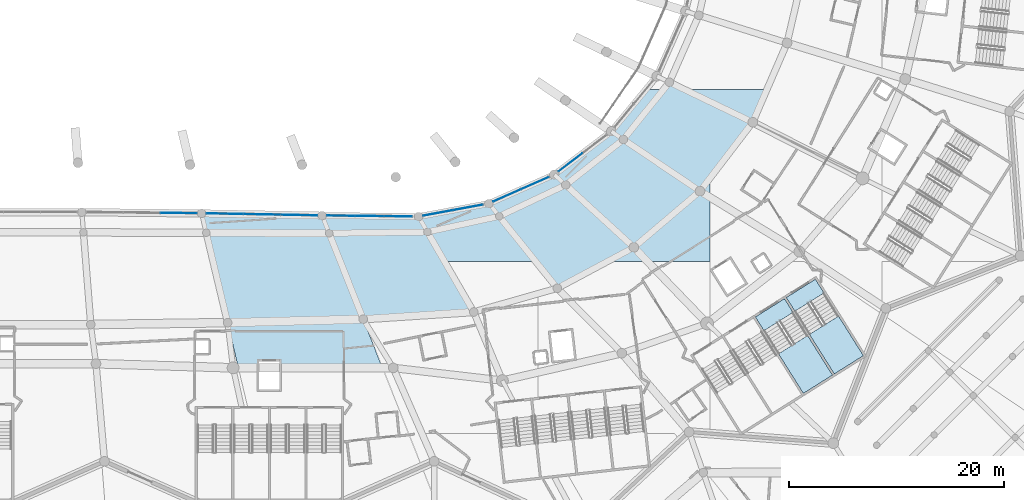
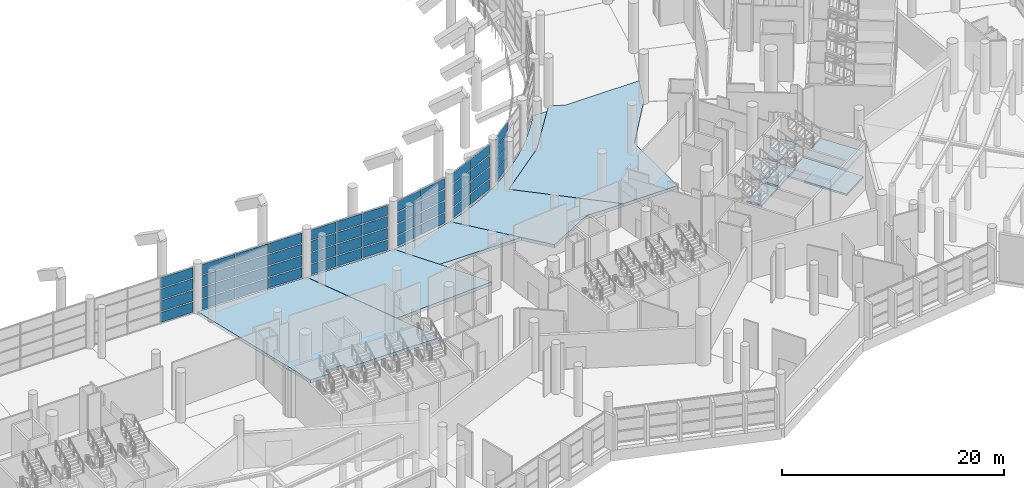
# One storey, part 128 of 271: 48 plates, 12 slabs, 8 elements without a shape of their own.
"""IFC4 building model written with IfcOpenShell, lengths in metres."""

from ifc_helpers import new_model, si_unit, direction, frame, origin, origin_2d, place, context, subcontext, project, spatial, polyline, rectangle, outline, extrude, material, layer, layer_set, type_object, element, aggregate, save


model = new_model("IFC4")

# Units and contexts
model_context = context("Model", 3, precision=1e-05, world=origin(), true_north=direction((0.0, 1.0)))
body_context = subcontext(model_context, "Body", "Model", "MODEL_VIEW")
ifc_project = project(units=[si_unit("LENGTHUNIT", "METRE"), si_unit("AREAUNIT", "SQUARE_METRE"), si_unit("VOLUMEUNIT", "CUBIC_METRE"), si_unit("PLANEANGLEUNIT", "RADIAN"), si_unit("MASSUNIT", "GRAM", prefix="KILO")], contexts=[model_context])

# Site, building, storey
site_placement = place(None, origin())
site = spatial("IfcSite", under=ifc_project, at=site_placement, CompositionType="ELEMENT")
building_placement = place(site_placement, origin())
building = spatial("IfcBuilding", under=site, at=building_placement, Name="Meseta Stadium", CompositionType="ELEMENT")
storey_placement = place(building_placement, frame((0.0, 0.0, 6.5)))
storey = spatial("IfcBuildingStorey", under=building, at=storey_placement, Name="L01", CompositionType="ELEMENT", Elevation=6.5)

# Curtain wall, plates
ifc_material_1 = material(Name="Aluminium", Category="aluminium")
ifc_layer_1 = layer(ifc_material_1, 0.199951171875)
ifc_layer_set_1 = layer_set([ifc_layer_1], Name="Club glazing curtain wall")
curtain_wall_type = type_object("IfcCurtainWallType", Name="Club glazing curtain wall", PredefinedType="NOTDEFINED", material=ifc_layer_set_1)
curtain_wall_1_placement = place(storey_placement, origin())
curtain_wall_1 = element("IfcCurtainWall", 1, at=curtain_wall_1_placement, inside=storey, type_object=curtain_wall_type, Name="Club glazing bay 47", PredefinedType="NOTDEFINED")
ifc_material_2 = material(Name="Glass", Category="glass")
ifc_layer_2 = layer(ifc_material_2, 0.028076171875)
ifc_layer_set_2 = layer_set([ifc_layer_2], Name="CW glass panel 28")
plate_type = type_object("IfcPlateType", Name="CW glass panel 28", PredefinedType="CURTAIN_PANEL", material=ifc_layer_set_2)
plate_1_placement = place(storey_placement, frame((14.55908203125, -75.507568359375, 0.1201171875), z_axis=(0.0, 0.0, 1.0), x_axis=(0.999947169774, -0.010278991253, 0.0)))
plate_1 = element("IfcPlate", 2, at=plate_1_placement, type_object=plate_type, Name="CWC panel 3.1", PredefinedType="CURTAIN_PANEL", context=body_context, shape_type="SweptSolid", body=[
    extrude(rectangle(XDim=3.357177734375, YDim=0.028076171875, at=origin_2d()), origin(), (0.0, 0.0, 1.0), 1.107421875),
])
plate_2_placement = place(storey_placement, frame((14.55908203125, -75.507568359375, 1.347412109375), z_axis=(0.0, 0.0, 1.0), x_axis=(0.999947169774, -0.010278991253, 0.0)))
plate_2 = element("IfcPlate", 3, at=plate_2_placement, type_object=plate_type, Name="CWC panel 3.2", PredefinedType="CURTAIN_PANEL", context=body_context, shape_type="SweptSolid", body=[
    extrude(rectangle(XDim=3.357177734375, YDim=0.028076171875, at=origin_2d()), origin(), (0.0, 0.0, 1.0), 1.16748046875),
])
plate_3_placement = place(storey_placement, frame((14.55908203125, -75.507568359375, 2.635009765625), z_axis=(0.0, 0.0, 1.0), x_axis=(0.999947169774, -0.010278991253, 0.0)))
plate_3 = element("IfcPlate", 4, at=plate_3_placement, type_object=plate_type, Name="CWC panel 3.3", PredefinedType="CURTAIN_PANEL", context=body_context, shape_type="SweptSolid", body=[
    extrude(rectangle(XDim=3.357177734375, YDim=0.028076171875, at=origin_2d()), origin(), (0.0, 0.0, 1.0), 1.16748046875),
])
plate_4_placement = place(storey_placement, frame((14.55908203125, -75.507568359375, 3.922607421875), z_axis=(0.0, 0.0, 1.0), x_axis=(0.999947169774, -0.010278991253, 0.0)))
plate_4 = element("IfcPlate", 5, at=plate_4_placement, type_object=plate_type, Name="CWC panel 3.4", PredefinedType="CURTAIN_PANEL", context=body_context, shape_type="SweptSolid", body=[
    extrude(rectangle(XDim=3.357177734375, YDim=0.028076171875, at=origin_2d()), origin(), (0.0, 0.0, 1.0), 1.107421875),
])
aggregate(curtain_wall_1, [plate_1, plate_2, plate_3, plate_4])

curtain_wall_2_placement = place(storey_placement, origin())
curtain_wall_2 = element("IfcCurtainWall", 6, at=curtain_wall_2_placement, inside=storey, type_object=curtain_wall_type, Name="Club glazing bay 48", PredefinedType="NOTDEFINED")
plate_5_placement = place(storey_placement, frame((18.847900390625, -75.569091796875, 0.1201171875), z_axis=(0.0, 0.0, 1.0), x_axis=(0.99983100259, -0.018383858671, 0.0)))
plate_5 = element("IfcPlate", 7, at=plate_5_placement, type_object=plate_type, Name="CWC panel 1.1", PredefinedType="CURTAIN_PANEL", context=body_context, shape_type="SweptSolid", body=[
    extrude(rectangle(XDim=3.382080078125, YDim=0.028076171875, at=origin_2d()), origin(), (0.0, 0.0, 1.0), 1.107421875),
])
plate_6_placement = place(storey_placement, frame((18.847900390625, -75.569091796875, 1.347412109375), z_axis=(0.0, 0.0, 1.0), x_axis=(0.99983100259, -0.018383858671, 0.0)))
plate_6 = element("IfcPlate", 8, at=plate_6_placement, type_object=plate_type, Name="CWC panel 1.2", PredefinedType="CURTAIN_PANEL", context=body_context, shape_type="SweptSolid", body=[
    extrude(rectangle(XDim=3.382080078125, YDim=0.028076171875, at=origin_2d()), origin(), (0.0, 0.0, 1.0), 1.16748046875),
])
plate_7_placement = place(storey_placement, frame((18.847900390625, -75.569091796875, 2.635009765625), z_axis=(0.0, 0.0, 1.0), x_axis=(0.99983100259, -0.018383858671, 0.0)))
plate_7 = element("IfcPlate", 9, at=plate_7_placement, type_object=plate_type, Name="CWC panel 1.3", PredefinedType="CURTAIN_PANEL", context=body_context, shape_type="SweptSolid", body=[
    extrude(rectangle(XDim=3.382080078125, YDim=0.028076171875, at=origin_2d()), origin(), (0.0, 0.0, 1.0), 1.16748046875),
])
plate_8_placement = place(storey_placement, frame((18.847900390625, -75.569091796875, 3.922607421875), z_axis=(0.0, 0.0, 1.0), x_axis=(0.99983100259, -0.018383858671, 0.0)))
plate_8 = element("IfcPlate", 10, at=plate_8_placement, type_object=plate_type, Name="CWC panel 1.4", PredefinedType="CURTAIN_PANEL", context=body_context, shape_type="SweptSolid", body=[
    extrude(rectangle(XDim=3.382080078125, YDim=0.028076171875, at=origin_2d()), origin(), (0.0, 0.0, 1.0), 1.107421875),
])
plate_9_placement = place(storey_placement, frame((22.30419921875, -75.632568359375, 0.1201171875), z_axis=(0.0, 0.0, 1.0), x_axis=(0.99983100259, -0.018383858671, 0.0)))
plate_9 = element("IfcPlate", 11, at=plate_9_placement, type_object=plate_type, Name="CWC panel 2.1", PredefinedType="CURTAIN_PANEL", context=body_context, shape_type="SweptSolid", body=[
    extrude(rectangle(XDim=3.411865234375, YDim=0.028076171875, at=origin_2d()), origin(), (0.0, 0.0, 1.0), 1.107421875),
])
plate_10_placement = place(storey_placement, frame((22.30419921875, -75.632568359375, 1.347412109375), z_axis=(0.0, 0.0, 1.0), x_axis=(0.99983100259, -0.018383858671, 0.0)))
plate_10 = element("IfcPlate", 12, at=plate_10_placement, type_object=plate_type, Name="CWC panel 2.2", PredefinedType="CURTAIN_PANEL", context=body_context, shape_type="SweptSolid", body=[
    extrude(rectangle(XDim=3.411865234375, YDim=0.028076171875, at=origin_2d()), origin(), (0.0, 0.0, 1.0), 1.16748046875),
])
plate_11_placement = place(storey_placement, frame((22.30419921875, -75.632568359375, 2.635009765625), z_axis=(0.0, 0.0, 1.0), x_axis=(0.99983100259, -0.018383858671, 0.0)))
plate_11 = element("IfcPlate", 13, at=plate_11_placement, type_object=plate_type, Name="CWC panel 2.3", PredefinedType="CURTAIN_PANEL", context=body_context, shape_type="SweptSolid", body=[
    extrude(rectangle(XDim=3.411865234375, YDim=0.028076171875, at=origin_2d()), origin(), (0.0, 0.0, 1.0), 1.16748046875),
])
plate_12_placement = place(storey_placement, frame((22.30419921875, -75.632568359375, 3.922607421875), z_axis=(0.0, 0.0, 1.0), x_axis=(0.99983100259, -0.018383858671, 0.0)))
plate_12 = element("IfcPlate", 14, at=plate_12_placement, type_object=plate_type, Name="CWC panel 2.4", PredefinedType="CURTAIN_PANEL", context=body_context, shape_type="SweptSolid", body=[
    extrude(rectangle(XDim=3.411865234375, YDim=0.028076171875, at=origin_2d()), origin(), (0.0, 0.0, 1.0), 1.107421875),
])
plate_13_placement = place(storey_placement, frame((25.7607421875, -75.696044921875, 0.1201171875), z_axis=(0.0, 0.0, 1.0), x_axis=(0.99983100259, -0.018383858671, 0.0)))
plate_13 = element("IfcPlate", 15, at=plate_13_placement, type_object=plate_type, Name="CWC panel 3.1", PredefinedType="CURTAIN_PANEL", context=body_context, shape_type="SweptSolid", body=[
    extrude(rectangle(XDim=3.382080078125, YDim=0.028076171875, at=origin_2d()), origin(), (0.0, 0.0, 1.0), 1.107421875),
])
plate_14_placement = place(storey_placement, frame((25.7607421875, -75.696044921875, 1.347412109375), z_axis=(0.0, 0.0, 1.0), x_axis=(0.99983100259, -0.018383858671, 0.0)))
plate_14 = element("IfcPlate", 16, at=plate_14_placement, type_object=plate_type, Name="CWC panel 3.2", PredefinedType="CURTAIN_PANEL", context=body_context, shape_type="SweptSolid", body=[
    extrude(rectangle(XDim=3.382080078125, YDim=0.028076171875, at=origin_2d()), origin(), (0.0, 0.0, 1.0), 1.16748046875),
])
plate_15_placement = place(storey_placement, frame((25.7607421875, -75.696044921875, 2.635009765625), z_axis=(0.0, 0.0, 1.0), x_axis=(0.99983100259, -0.018383858671, 0.0)))
plate_15 = element("IfcPlate", 17, at=plate_15_placement, type_object=plate_type, Name="CWC panel 3.3", PredefinedType="CURTAIN_PANEL", context=body_context, shape_type="SweptSolid", body=[
    extrude(rectangle(XDim=3.382080078125, YDim=0.028076171875, at=origin_2d()), origin(), (0.0, 0.0, 1.0), 1.16748046875),
])
plate_16_placement = place(storey_placement, frame((25.7607421875, -75.696044921875, 3.922607421875), z_axis=(0.0, 0.0, 1.0), x_axis=(0.99983100259, -0.018383858671, 0.0)))
plate_16 = element("IfcPlate", 18, at=plate_16_placement, type_object=plate_type, Name="CWC panel 3.4", PredefinedType="CURTAIN_PANEL", context=body_context, shape_type="SweptSolid", body=[
    extrude(rectangle(XDim=3.382080078125, YDim=0.028076171875, at=origin_2d()), origin(), (0.0, 0.0, 1.0), 1.107421875),
])
aggregate(curtain_wall_2, [plate_5, plate_6, plate_7, plate_8, plate_9, plate_10, plate_11, plate_12, plate_13, plate_14, plate_15, plate_16])

curtain_wall_3_placement = place(storey_placement, origin())
curtain_wall_3 = element("IfcCurtainWall", 19, at=curtain_wall_3_placement, inside=storey, type_object=curtain_wall_type, Name="Club glazing bay 49", PredefinedType="NOTDEFINED")
plate_17_placement = place(storey_placement, frame((29.662109375, -75.754638671875, 0.1201171875), z_axis=(0.0, 0.0, 1.0), x_axis=(0.999941218201, -0.010842515481, 0.0)))
plate_17 = element("IfcPlate", 20, at=plate_17_placement, type_object=plate_type, Name="CWC panel 1.1", PredefinedType="CURTAIN_PANEL", context=body_context, shape_type="SweptSolid", body=[
    extrude(rectangle(XDim=2.5830078125, YDim=0.028076171875, at=origin_2d()), origin(), (0.0, 0.0, 1.0), 1.107421875),
])
plate_18_placement = place(storey_placement, frame((29.662109375, -75.754638671875, 1.347412109375), z_axis=(0.0, 0.0, 1.0), x_axis=(0.999941218201, -0.010842515481, 0.0)))
plate_18 = element("IfcPlate", 21, at=plate_18_placement, type_object=plate_type, Name="CWC panel 1.2", PredefinedType="CURTAIN_PANEL", context=body_context, shape_type="SweptSolid", body=[
    extrude(rectangle(XDim=2.5830078125, YDim=0.028076171875, at=origin_2d()), origin(), (0.0, 0.0, 1.0), 1.16748046875),
])
plate_19_placement = place(storey_placement, frame((29.662109375, -75.754638671875, 2.635009765625), z_axis=(0.0, 0.0, 1.0), x_axis=(0.999941218201, -0.010842515481, 0.0)))
plate_19 = element("IfcPlate", 22, at=plate_19_placement, type_object=plate_type, Name="CWC panel 1.3", PredefinedType="CURTAIN_PANEL", context=body_context, shape_type="SweptSolid", body=[
    extrude(rectangle(XDim=2.5830078125, YDim=0.028076171875, at=origin_2d()), origin(), (0.0, 0.0, 1.0), 1.16748046875),
])
plate_20_placement = place(storey_placement, frame((29.662109375, -75.754638671875, 3.922607421875), z_axis=(0.0, 0.0, 1.0), x_axis=(0.999941218201, -0.010842515481, 0.0)))
plate_20 = element("IfcPlate", 23, at=plate_20_placement, type_object=plate_type, Name="CWC panel 1.4", PredefinedType="CURTAIN_PANEL", context=body_context, shape_type="SweptSolid", body=[
    extrude(rectangle(XDim=2.5830078125, YDim=0.028076171875, at=origin_2d()), origin(), (0.0, 0.0, 1.0), 1.107421875),
])
plate_21_placement = place(storey_placement, frame((32.320068359375, -75.783447265625, 0.1201171875), z_axis=(0.0, 0.0, 1.0), x_axis=(0.999941218201, -0.010842515481, 0.0)))
plate_21 = element("IfcPlate", 24, at=plate_21_placement, type_object=plate_type, Name="CWC panel 2.1", PredefinedType="CURTAIN_PANEL", context=body_context, shape_type="SweptSolid", body=[
    extrude(rectangle(XDim=2.613037109375, YDim=0.028076171875, at=origin_2d()), origin(), (0.0, 0.0, 1.0), 1.107421875),
])
plate_22_placement = place(storey_placement, frame((32.320068359375, -75.783447265625, 1.347412109375), z_axis=(0.0, 0.0, 1.0), x_axis=(0.999941218201, -0.010842515481, 0.0)))
plate_22 = element("IfcPlate", 25, at=plate_22_placement, type_object=plate_type, Name="CWC panel 2.2", PredefinedType="CURTAIN_PANEL", context=body_context, shape_type="SweptSolid", body=[
    extrude(rectangle(XDim=2.613037109375, YDim=0.028076171875, at=origin_2d()), origin(), (0.0, 0.0, 1.0), 1.16748046875),
])
plate_23_placement = place(storey_placement, frame((32.320068359375, -75.783447265625, 2.635009765625), z_axis=(0.0, 0.0, 1.0), x_axis=(0.999941218201, -0.010842515481, 0.0)))
plate_23 = element("IfcPlate", 26, at=plate_23_placement, type_object=plate_type, Name="CWC panel 2.3", PredefinedType="CURTAIN_PANEL", context=body_context, shape_type="SweptSolid", body=[
    extrude(rectangle(XDim=2.613037109375, YDim=0.028076171875, at=origin_2d()), origin(), (0.0, 0.0, 1.0), 1.16748046875),
])
plate_24_placement = place(storey_placement, frame((32.320068359375, -75.783447265625, 3.922607421875), z_axis=(0.0, 0.0, 1.0), x_axis=(0.999941218201, -0.010842515481, 0.0)))
plate_24 = element("IfcPlate", 27, at=plate_24_placement, type_object=plate_type, Name="CWC panel 2.4", PredefinedType="CURTAIN_PANEL", context=body_context, shape_type="SweptSolid", body=[
    extrude(rectangle(XDim=2.613037109375, YDim=0.028076171875, at=origin_2d()), origin(), (0.0, 0.0, 1.0), 1.107421875),
])
plate_25_placement = place(storey_placement, frame((34.977783203125, -75.812255859375, 0.1201171875), z_axis=(0.0, 0.0, 1.0), x_axis=(0.999941218201, -0.010842515481, 0.0)))
plate_25 = element("IfcPlate", 28, at=plate_25_placement, type_object=plate_type, Name="CWC panel 3.1", PredefinedType="CURTAIN_PANEL", context=body_context, shape_type="SweptSolid", body=[
    extrude(rectangle(XDim=2.5830078125, YDim=0.028076171875, at=origin_2d()), origin(), (0.0, 0.0, 1.0), 1.107421875),
])
plate_26_placement = place(storey_placement, frame((34.977783203125, -75.812255859375, 1.347412109375), z_axis=(0.0, 0.0, 1.0), x_axis=(0.999941218201, -0.010842515481, 0.0)))
plate_26 = element("IfcPlate", 29, at=plate_26_placement, type_object=plate_type, Name="CWC panel 3.2", PredefinedType="CURTAIN_PANEL", context=body_context, shape_type="SweptSolid", body=[
    extrude(rectangle(XDim=2.5830078125, YDim=0.028076171875, at=origin_2d()), origin(), (0.0, 0.0, 1.0), 1.16748046875),
])
plate_27_placement = place(storey_placement, frame((34.977783203125, -75.812255859375, 2.635009765625), z_axis=(0.0, 0.0, 1.0), x_axis=(0.999941218201, -0.010842515481, 0.0)))
plate_27 = element("IfcPlate", 30, at=plate_27_placement, type_object=plate_type, Name="CWC panel 3.3", PredefinedType="CURTAIN_PANEL", context=body_context, shape_type="SweptSolid", body=[
    extrude(rectangle(XDim=2.5830078125, YDim=0.028076171875, at=origin_2d()), origin(), (0.0, 0.0, 1.0), 1.16748046875),
])
plate_28_placement = place(storey_placement, frame((34.977783203125, -75.812255859375, 3.922607421875), z_axis=(0.0, 0.0, 1.0), x_axis=(0.999941218201, -0.010842515481, 0.0)))
plate_28 = element("IfcPlate", 31, at=plate_28_placement, type_object=plate_type, Name="CWC panel 3.4", PredefinedType="CURTAIN_PANEL", context=body_context, shape_type="SweptSolid", body=[
    extrude(rectangle(XDim=2.5830078125, YDim=0.028076171875, at=origin_2d()), origin(), (0.0, 0.0, 1.0), 1.107421875),
])
aggregate(curtain_wall_3, [plate_17, plate_18, plate_19, plate_20, plate_21, plate_22, plate_23, plate_24, plate_25, plate_26, plate_27, plate_28])

curtain_wall_4_placement = place(storey_placement, origin())
curtain_wall_4 = element("IfcCurtainWall", 32, at=curtain_wall_4_placement, inside=storey, type_object=curtain_wall_type, Name="Club glazing bay 50", PredefinedType="NOTDEFINED")
plate_29_placement = place(storey_placement, frame((38.69775390625, -75.496337890625, 0.1201171875), z_axis=(0.0, 0.0, 1.0), x_axis=(0.983187225977, 0.182600324962, 0.0)))
plate_29 = element("IfcPlate", 33, at=plate_29_placement, type_object=plate_type, Name="CWC panel 1.1", PredefinedType="CURTAIN_PANEL", context=body_context, shape_type="SweptSolid", body=[
    extrude(rectangle(XDim=2.76611328125, YDim=0.028076171875, at=origin_2d()), origin(), (0.0, 0.0, 1.0), 1.107421875),
])
plate_30_placement = place(storey_placement, frame((38.69775390625, -75.496337890625, 1.347412109375), z_axis=(0.0, 0.0, 1.0), x_axis=(0.983187225977, 0.182600324962, 0.0)))
plate_30 = element("IfcPlate", 34, at=plate_30_placement, type_object=plate_type, Name="CWC panel 1.2", PredefinedType="CURTAIN_PANEL", context=body_context, shape_type="SweptSolid", body=[
    extrude(rectangle(XDim=2.76611328125, YDim=0.028076171875, at=origin_2d()), origin(), (0.0, 0.0, 1.0), 1.16748046875),
])
plate_31_placement = place(storey_placement, frame((38.69775390625, -75.496337890625, 2.635009765625), z_axis=(0.0, 0.0, 1.0), x_axis=(0.983187225977, 0.182600324962, 0.0)))
plate_31 = element("IfcPlate", 35, at=plate_31_placement, type_object=plate_type, Name="CWC panel 1.3", PredefinedType="CURTAIN_PANEL", context=body_context, shape_type="SweptSolid", body=[
    extrude(rectangle(XDim=2.76611328125, YDim=0.028076171875, at=origin_2d()), origin(), (0.0, 0.0, 1.0), 1.16748046875),
])
plate_32_placement = place(storey_placement, frame((38.69775390625, -75.496337890625, 3.922607421875), z_axis=(0.0, 0.0, 1.0), x_axis=(0.983187225977, 0.182600324962, 0.0)))
plate_32 = element("IfcPlate", 36, at=plate_32_placement, type_object=plate_type, Name="CWC panel 1.4", PredefinedType="CURTAIN_PANEL", context=body_context, shape_type="SweptSolid", body=[
    extrude(rectangle(XDim=2.76611328125, YDim=0.028076171875, at=origin_2d()), origin(), (0.0, 0.0, 1.0), 1.107421875),
])
plate_33_placement = place(storey_placement, frame((41.476318359375, -74.98046875, 0.1201171875), z_axis=(0.0, 0.0, 1.0), x_axis=(0.983187225977, 0.182600324962, 0.0)))
plate_33 = element("IfcPlate", 37, at=plate_33_placement, type_object=plate_type, Name="CWC panel 2.1", PredefinedType="CURTAIN_PANEL", context=body_context, shape_type="SweptSolid", body=[
    extrude(rectangle(XDim=2.76611328125, YDim=0.028076171875, at=origin_2d()), origin(), (0.0, 0.0, 1.0), 1.107421875),
])
plate_34_placement = place(storey_placement, frame((41.476318359375, -74.98046875, 1.347412109375), z_axis=(0.0, 0.0, 1.0), x_axis=(0.983187225977, 0.182600324962, 0.0)))
plate_34 = element("IfcPlate", 38, at=plate_34_placement, type_object=plate_type, Name="CWC panel 2.2", PredefinedType="CURTAIN_PANEL", context=body_context, shape_type="SweptSolid", body=[
    extrude(rectangle(XDim=2.76611328125, YDim=0.028076171875, at=origin_2d()), origin(), (0.0, 0.0, 1.0), 1.16748046875),
])
plate_35_placement = place(storey_placement, frame((41.476318359375, -74.98046875, 2.635009765625), z_axis=(0.0, 0.0, 1.0), x_axis=(0.983187225977, 0.182600324962, 0.0)))
plate_35 = element("IfcPlate", 39, at=plate_35_placement, type_object=plate_type, Name="CWC panel 2.3", PredefinedType="CURTAIN_PANEL", context=body_context, shape_type="SweptSolid", body=[
    extrude(rectangle(XDim=2.76611328125, YDim=0.028076171875, at=origin_2d()), origin(), (0.0, 0.0, 1.0), 1.16748046875),
])
plate_36_placement = place(storey_placement, frame((41.476318359375, -74.98046875, 3.922607421875), z_axis=(0.0, 0.0, 1.0), x_axis=(0.983187225977, 0.182600324962, 0.0)))
plate_36 = element("IfcPlate", 40, at=plate_36_placement, type_object=plate_type, Name="CWC panel 2.4", PredefinedType="CURTAIN_PANEL", context=body_context, shape_type="SweptSolid", body=[
    extrude(rectangle(XDim=2.76611328125, YDim=0.028076171875, at=origin_2d()), origin(), (0.0, 0.0, 1.0), 1.107421875),
])
aggregate(curtain_wall_4, [plate_29, plate_30, plate_31, plate_32, plate_33, plate_34, plate_35, plate_36])

curtain_wall_5_placement = place(storey_placement, origin())
curtain_wall_5 = element("IfcCurtainWall", 41, at=curtain_wall_5_placement, inside=storey, type_object=curtain_wall_type, Name="Club glazing bay 51", PredefinedType="NOTDEFINED")
plate_37_placement = place(storey_placement, frame((45.120849609375, -73.869873046875, 0.1201171875), z_axis=(0.0, 0.0, 1.0), x_axis=(0.914527256817, 0.40452428424, 0.0)))
plate_37 = element("IfcPlate", 42, at=plate_37_placement, type_object=plate_type, Name="CWC panel 1.1", PredefinedType="CURTAIN_PANEL", context=body_context, shape_type="SweptSolid", body=[
    extrude(rectangle(XDim=2.777099609375, YDim=0.028076171875, at=origin_2d()), origin(), (0.0, 0.0, 1.0), 1.107421875),
])
plate_38_placement = place(storey_placement, frame((45.120849609375, -73.869873046875, 1.347412109375), z_axis=(0.0, 0.0, 1.0), x_axis=(0.914527256817, 0.40452428424, 0.0)))
plate_38 = element("IfcPlate", 43, at=plate_38_placement, type_object=plate_type, Name="CWC panel 1.2", PredefinedType="CURTAIN_PANEL", context=body_context, shape_type="SweptSolid", body=[
    extrude(rectangle(XDim=2.777099609375, YDim=0.028076171875, at=origin_2d()), origin(), (0.0, 0.0, 1.0), 1.16748046875),
])
plate_39_placement = place(storey_placement, frame((45.120849609375, -73.869873046875, 2.635009765625), z_axis=(0.0, 0.0, 1.0), x_axis=(0.914527256817, 0.40452428424, 0.0)))
plate_39 = element("IfcPlate", 44, at=plate_39_placement, type_object=plate_type, Name="CWC panel 1.3", PredefinedType="CURTAIN_PANEL", context=body_context, shape_type="SweptSolid", body=[
    extrude(rectangle(XDim=2.777099609375, YDim=0.028076171875, at=origin_2d()), origin(), (0.0, 0.0, 1.0), 1.16748046875),
])
plate_40_placement = place(storey_placement, frame((45.120849609375, -73.869873046875, 3.922607421875), z_axis=(0.0, 0.0, 1.0), x_axis=(0.914527256817, 0.40452428424, 0.0)))
plate_40 = element("IfcPlate", 45, at=plate_40_placement, type_object=plate_type, Name="CWC panel 1.4", PredefinedType="CURTAIN_PANEL", context=body_context, shape_type="SweptSolid", body=[
    extrude(rectangle(XDim=2.777099609375, YDim=0.028076171875, at=origin_2d()), origin(), (0.0, 0.0, 1.0), 1.107421875),
])
plate_41_placement = place(storey_placement, frame((47.71533203125, -72.72216796875, 0.1201171875), z_axis=(0.0, 0.0, 1.0), x_axis=(0.914527256817, 0.40452428424, 0.0)))
plate_41 = element("IfcPlate", 46, at=plate_41_placement, type_object=plate_type, Name="CWC panel 2.1", PredefinedType="CURTAIN_PANEL", context=body_context, shape_type="SweptSolid", body=[
    extrude(rectangle(XDim=2.777099609375, YDim=0.028076171875, at=origin_2d()), origin(), (0.0, 0.0, 1.0), 1.107421875),
])
plate_42_placement = place(storey_placement, frame((47.71533203125, -72.72216796875, 1.347412109375), z_axis=(0.0, 0.0, 1.0), x_axis=(0.914527256817, 0.40452428424, 0.0)))
plate_42 = element("IfcPlate", 47, at=plate_42_placement, type_object=plate_type, Name="CWC panel 2.2", PredefinedType="CURTAIN_PANEL", context=body_context, shape_type="SweptSolid", body=[
    extrude(rectangle(XDim=2.777099609375, YDim=0.028076171875, at=origin_2d()), origin(), (0.0, 0.0, 1.0), 1.16748046875),
])
plate_43_placement = place(storey_placement, frame((47.71533203125, -72.72216796875, 2.635009765625), z_axis=(0.0, 0.0, 1.0), x_axis=(0.914527256817, 0.40452428424, 0.0)))
plate_43 = element("IfcPlate", 48, at=plate_43_placement, type_object=plate_type, Name="CWC panel 2.3", PredefinedType="CURTAIN_PANEL", context=body_context, shape_type="SweptSolid", body=[
    extrude(rectangle(XDim=2.777099609375, YDim=0.028076171875, at=origin_2d()), origin(), (0.0, 0.0, 1.0), 1.16748046875),
])
plate_44_placement = place(storey_placement, frame((47.71533203125, -72.72216796875, 3.922607421875), z_axis=(0.0, 0.0, 1.0), x_axis=(0.914527256817, 0.40452428424, 0.0)))
plate_44 = element("IfcPlate", 49, at=plate_44_placement, type_object=plate_type, Name="CWC panel 2.4", PredefinedType="CURTAIN_PANEL", context=body_context, shape_type="SweptSolid", body=[
    extrude(rectangle(XDim=2.777099609375, YDim=0.028076171875, at=origin_2d()), origin(), (0.0, 0.0, 1.0), 1.107421875),
])
aggregate(curtain_wall_5, [plate_37, plate_38, plate_39, plate_40, plate_41, plate_42, plate_43, plate_44])

curtain_wall_6_placement = place(storey_placement, origin())
curtain_wall_6 = element("IfcCurtainWall", 50, at=curtain_wall_6_placement, inside=storey, type_object=curtain_wall_type, Name="Club glazing bay 52", PredefinedType="NOTDEFINED")
plate_45_placement = place(storey_placement, frame((51.0234375, -70.782470703125, 0.1201171875), z_axis=(0.0, 0.0, 1.0), x_axis=(0.796590021375, 0.604519923448, 0.0)))
plate_45 = element("IfcPlate", 51, at=plate_45_placement, type_object=plate_type, Name="CWC panel 1.1", PredefinedType="CURTAIN_PANEL", context=body_context, shape_type="SweptSolid", body=[
    extrude(rectangle(XDim=2.759765625, YDim=0.028076171875, at=origin_2d()), origin(), (0.0, 0.0, 1.0), 1.107421875),
])
plate_46_placement = place(storey_placement, frame((51.0234375, -70.782470703125, 1.347412109375), z_axis=(0.0, 0.0, 1.0), x_axis=(0.796590021375, 0.604519923448, 0.0)))
plate_46 = element("IfcPlate", 52, at=plate_46_placement, type_object=plate_type, Name="CWC panel 1.2", PredefinedType="CURTAIN_PANEL", context=body_context, shape_type="SweptSolid", body=[
    extrude(rectangle(XDim=2.759765625, YDim=0.028076171875, at=origin_2d()), origin(), (0.0, 0.0, 1.0), 1.16748046875),
])
plate_47_placement = place(storey_placement, frame((51.0234375, -70.782470703125, 2.635009765625), z_axis=(0.0, 0.0, 1.0), x_axis=(0.796590021375, 0.604519923448, 0.0)))
plate_47 = element("IfcPlate", 53, at=plate_47_placement, type_object=plate_type, Name="CWC panel 1.3", PredefinedType="CURTAIN_PANEL", context=body_context, shape_type="SweptSolid", body=[
    extrude(rectangle(XDim=2.759765625, YDim=0.028076171875, at=origin_2d()), origin(), (0.0, 0.0, 1.0), 1.16748046875),
])
plate_48_placement = place(storey_placement, frame((51.0234375, -70.782470703125, 3.922607421875), z_axis=(0.0, 0.0, 1.0), x_axis=(0.796590021375, 0.604519923448, 0.0)))
plate_48 = element("IfcPlate", 54, at=plate_48_placement, type_object=plate_type, Name="CWC panel 1.4", PredefinedType="CURTAIN_PANEL", context=body_context, shape_type="SweptSolid", body=[
    extrude(rectangle(XDim=2.759765625, YDim=0.028076171875, at=origin_2d()), origin(), (0.0, 0.0, 1.0), 1.107421875),
])
aggregate(curtain_wall_6, [plate_45, plate_46, plate_47, plate_48])

# Slabs
ifc_material_3 = material(Name="Concrete C40/50", Category="concrete")
ifc_layer_3 = layer(ifc_material_3, 0.35009765625)
ifc_layer_set_3 = layer_set([ifc_layer_3], Name="Floor slab 350")
slab_type_1 = type_object("IfcSlabType", Name="Floor slab 350", PredefinedType="FLOOR", material=ifc_layer_set_3)
slab_1_placement = place(storey_placement, frame((0.0, 0.0, -0.35009765625)))
element("IfcSlab", 55, at=slab_1_placement, inside=storey, type_object=slab_type_1, Name="Floor slab L01 sector 42 panel 15", PredefinedType="FLOOR", context=body_context, shape_type="SweptSolid", body=[
    extrude(outline(polyline([(33.525390625, -89.911376953125), (27.900146484375, -75.7353515625), (26.03564453125, -75.6962890625), (24.1630859375, -75.65869140625), (22.293212890625, -75.623046875), (20.425537109375, -75.589599609375), (18.560302734375, -75.558349609375), (16.697509765625, -75.529296875), (20.1201171875, -89.904052734375), (22.050048828125, -89.905029296875), (22.050048828125, -89.300048828125), (23.949951171875, -89.300048828125), (23.949951171875, -89.906005859375), (33.525390625, -89.911376953125)])), origin(), (0.0, 0.0, 1.0), 0.35009765625),
])
slab_2_placement = place(storey_placement, frame((0.0, 0.0, -0.35009765625)))
element("IfcSlab", 56, at=slab_2_placement, inside=storey, type_object=slab_type_1, Name="Floor slab L01 sector 49 panel 01", PredefinedType="FLOOR", context=body_context, shape_type="SweptSolid", body=[
    extrude(outline(polyline([(42.015380859375, -84.707275390625), (36.8857421875, -75.8330078125), (35.775634765625, -75.885986328125), (34.664306640625, -75.895751953125), (33.553466796875, -75.8623046875), (29.7890625, -75.776611328125), (27.921875, -75.73583984375), (31.747314453125, -85.376220703125), (42.015380859375, -84.707275390625)])), origin(), (0.0, 0.0, 1.0), 0.35009765625),
])
slab_3_placement = place(storey_placement, frame((0.0, 0.0, -0.35009765625)))
element("IfcSlab", 57, at=slab_3_placement, inside=storey, type_object=slab_type_1, Name="Floor slab L01 sector 49 panel 03", PredefinedType="FLOOR", context=body_context, shape_type="SweptSolid", body=[
    extrude(outline(polyline([(41.282470703125, -75.19189453125), (40.193359375, -75.416015625), (39.096435546875, -75.597900390625), (37.993408203125, -75.73681640625), (36.885986328125, -75.8330078125), (39.29443359375, -80.0), (47.7744140625, -80.0), (43.430419921875, -74.617431640625), (42.362060546875, -74.925537109375), (41.282470703125, -75.19189453125)])), origin(), (0.0, 0.0, 1.0), 0.35009765625),
])
slab_4_placement = place(storey_placement, frame((0.0, 0.0, -0.35009765625)))
element("IfcSlab", 58, at=slab_4_placement, inside=storey, type_object=slab_type_1, Name="Floor slab L01 sector 49 panel 05", PredefinedType="FLOOR", context=body_context, shape_type="SweptSolid", body=[
    extrude(outline(polyline([(43.430419921875, -74.617431640625), (49.791015625, -82.498779296875), (54.4716796875, -80.0), (58.33984375, -80.0), (50.571533203125, -72.888916015625), (55.940185546875, -68.658203125), (59.68408203125, -64.0), (58.201416015625, -64.0), (57.773681640625, -64.585693359375), (57.083984375, -65.456787109375), (56.361083984375, -66.30078125), (55.60595703125, -67.1162109375), (54.819580078125, -67.901611328125), (54.00341796875, -68.656005859375), (53.15869140625, -69.37841796875), (52.286376953125, -70.0673828125), (51.387939453125, -70.721923828125), (50.46484375, -71.34130859375), (49.518310546875, -71.924560546875), (48.5498046875, -72.470703125), (47.560791015625, -72.978759765625), (46.552978515625, -73.4482421875), (45.527587890625, -73.87841796875), (44.486083984375, -74.268310546875), (43.430419921875, -74.617431640625)])), origin(), (0.0, 0.0, 1.0), 0.35009765625),
])
slab_5_placement = place(storey_placement, frame((0.0, 0.0, -0.35009765625)))
element("IfcSlab", 59, at=slab_5_placement, inside=storey, type_object=slab_type_1, Name="Floor slab L01 sector 49 panel 08", PredefinedType="FLOOR", context=body_context, shape_type="SweptSolid", body=[
    extrude(outline(polyline([(50.571533203125, -72.888916015625), (58.33984375, -80.0), (64.0, -80.0), (64.0, -72.251708984375), (67.972412109375, -67.057861328125), (69.297119140625, -64.0), (61.6142578125, -64.0), (60.22216796875, -63.33056640625), (55.940185546875, -68.658203125), (50.571533203125, -72.888916015625)])), origin(), (0.0, 0.0, 1.0), 0.35009765625),
])

# Stair, slabs
ifc_material_4 = material(Name="Concrete C40/50", Category="concrete")
stair_type = type_object("IfcStairType", Name="Exit stair 4 flights 153 mm risers", PredefinedType="HALF_TURN_STAIR", material=ifc_material_4)
stair_1_placement = place(storey_placement, origin())
stair_1 = element("IfcStair", 60, at=stair_1_placement, inside=storey, type_object=stair_type, Name="ST107 L01", PredefinedType="HALF_TURN_STAIR")
ifc_material_5 = material(Name="Concrete C40/50", Category="concrete")
ifc_layer_4 = layer(ifc_material_5, 0.199951171875)
ifc_layer_set_4 = layer_set([ifc_layer_4], Name="Stair landing 200")
slab_type_2 = type_object("IfcSlabType", Name="Stair landing 200", PredefinedType="LANDING", material=ifc_layer_set_4)
slab_6_placement = place(storey_placement, frame((0.0, 0.0, 2.550048828125)))
slab_6 = element("IfcSlab", 61, at=slab_6_placement, type_object=slab_type_2, Name="ST107 L01 landing 2", PredefinedType="LANDING", context=body_context, shape_type="SweptSolid", body=[
    extrude(outline(polyline([(68.21728515625, -85.17041015625), (69.0205078125, -86.448974609375), (71.72998046875, -84.74658203125), (70.9267578125, -83.468017578125), (68.21728515625, -85.17041015625)])), origin(), (0.0, 0.0, 1.0), 0.199951171875),
])
slab_7_placement = place(storey_placement, frame((0.0, 0.0, 3.925048828125)))
slab_7 = element("IfcSlab", 62, at=slab_7_placement, type_object=slab_type_2, Name="ST107 L01 landing 3", PredefinedType="LANDING", context=body_context, shape_type="SweptSolid", body=[
    extrude(outline(polyline([(70.371826171875, -88.599853515625), (72.686279296875, -92.282958984375), (75.395751953125, -90.58056640625), (73.08154296875, -86.897216796875), (70.371826171875, -88.599853515625)])), origin(), (0.0, 0.0, 1.0), 0.199951171875),
])
slab_8_placement = place(storey_placement, frame((0.0, 0.0, -0.199951171875)))
slab_8 = element("IfcSlab", 63, at=slab_8_placement, type_object=slab_type_2, Name="ST107 L01 landing 4", PredefinedType="LANDING", context=body_context, shape_type="SweptSolid", body=[
    extrude(outline(polyline([(68.21728515625, -85.17041015625), (69.0205078125, -86.448974609375), (71.72998046875, -84.74658203125), (70.9267578125, -83.468017578125), (68.21728515625, -85.17041015625)])), origin(), (0.0, 0.0, 1.0), 0.199951171875),
])
aggregate(stair_1, [slab_6, slab_7, slab_8])

stair_2_placement = place(storey_placement, origin())
stair_2 = element("IfcStair", 64, at=stair_2_placement, inside=storey, type_object=stair_type, Name="ST108 L01", PredefinedType="HALF_TURN_STAIR")
slab_9_placement = place(storey_placement, frame((0.0, 0.0, 1.175048828125)))
slab_9 = element("IfcSlab", 65, at=slab_9_placement, type_object=slab_type_2, Name="ST108 L01 landing 1", PredefinedType="LANDING", context=body_context, shape_type="SweptSolid", body=[
    extrude(outline(polyline([(73.250732421875, -86.790771484375), (75.565185546875, -90.47412109375), (78.274658203125, -88.771484375), (75.960205078125, -85.08837890625), (73.250732421875, -86.790771484375)])), origin(), (0.0, 0.0, 1.0), 0.199951171875),
])
slab_10_placement = place(storey_placement, frame((0.0, 0.0, 2.550048828125)))
slab_10 = element("IfcSlab", 66, at=slab_10_placement, type_object=slab_type_2, Name="ST108 L01 landing 2", PredefinedType="LANDING", context=body_context, shape_type="SweptSolid", body=[
    extrude(outline(polyline([(71.095947265625, -83.361572265625), (71.8994140625, -84.64013671875), (74.60888671875, -82.937744140625), (73.8056640625, -81.6591796875), (71.095947265625, -83.361572265625)])), origin(), (0.0, 0.0, 1.0), 0.199951171875),
])
slab_11_placement = place(storey_placement, frame((0.0, 0.0, 3.925048828125)))
slab_11 = element("IfcSlab", 67, at=slab_11_placement, type_object=slab_type_2, Name="ST108 L01 landing 3", PredefinedType="LANDING", context=body_context, shape_type="SweptSolid", body=[
    extrude(outline(polyline([(73.250732421875, -86.790771484375), (75.565185546875, -90.47412109375), (78.274658203125, -88.771484375), (75.960205078125, -85.08837890625), (73.250732421875, -86.790771484375)])), origin(), (0.0, 0.0, 1.0), 0.199951171875),
])
slab_12_placement = place(storey_placement, frame((0.0, 0.0, -0.199951171875)))
slab_12 = element("IfcSlab", 68, at=slab_12_placement, type_object=slab_type_2, Name="ST108 L01 landing 4", PredefinedType="LANDING", context=body_context, shape_type="SweptSolid", body=[
    extrude(outline(polyline([(71.095947265625, -83.361572265625), (71.8994140625, -84.64013671875), (74.60888671875, -82.937744140625), (73.8056640625, -81.6591796875), (71.095947265625, -83.361572265625)])), origin(), (0.0, 0.0, 1.0), 0.199951171875),
])
aggregate(stair_2, [slab_9, slab_10, slab_11, slab_12])

save(model, "model.ifc")
